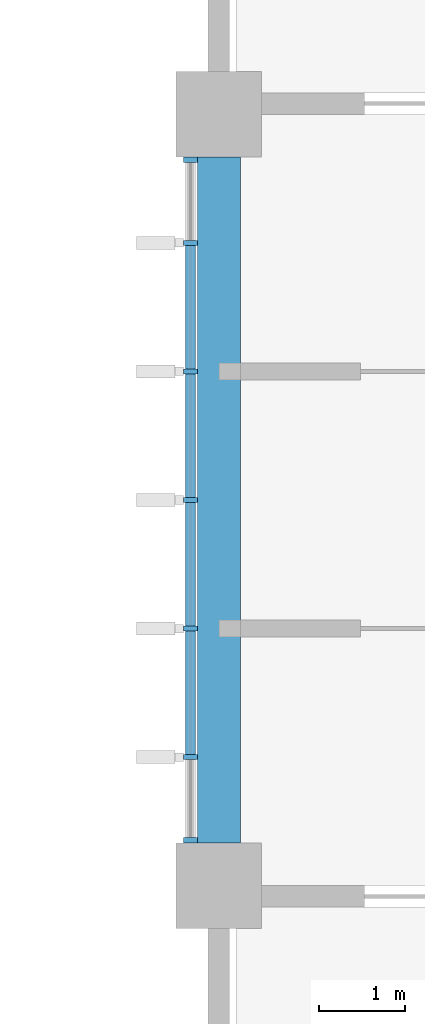
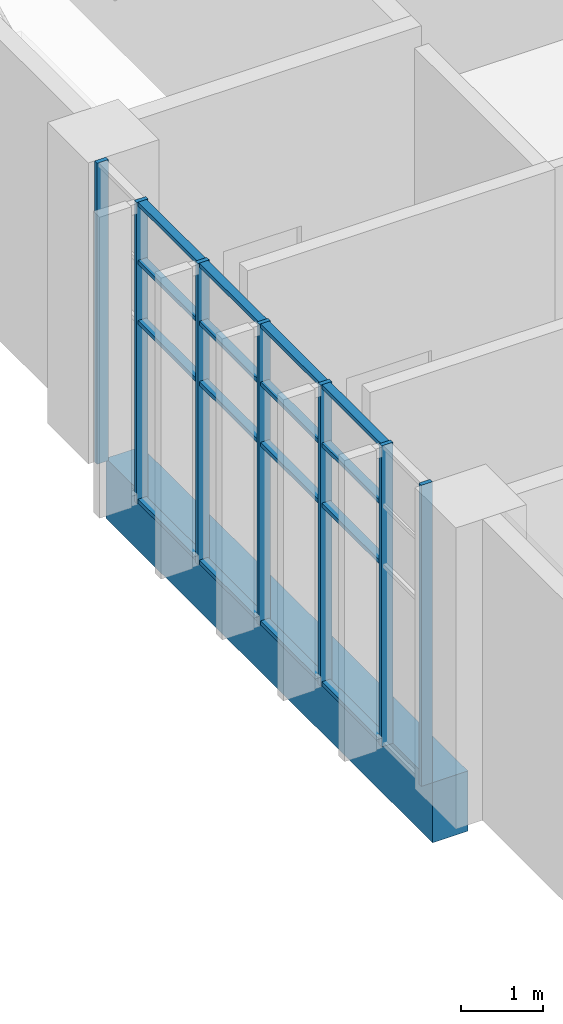
# One storey, part 6 of 88: 23 members, 1 beam, 1 element without a shape of its own.
"""IFC4 building model written with IfcOpenShell, lengths in metres."""

import ifcopenshell
import ifcopenshell.guid

model = None  # the IFC model being written
_history = None  # IfcOwnerHistory: only IFC2X3 demands one
_inside = {}  # id of a spatial element -> (the spatial element, [elements in it])
_under = {}  # id of a project, library or spatial element -> (it, [spatial elements below it])
_declared = {}  # id of a project -> (the project, [libraries it declares])
_typed = {}  # id of a type object -> (the type object, [elements of that type])
_made_of = {}  # id of a material, layer set ... -> (it, [elements and type objects made of it])


def new_model(schema):
    """Start an empty IFC model of exactly this schema.

    Asked for "IFC4X3", IfcOpenShell would pick the latest addendum, in which some entities
    have other attributes; the version numbers below select the first issue.
    IFC2X3 requires an IfcOwnerHistory on every rooted entity: one is made here for all.
    """
    global model, _history
    if schema == "IFC4X3":
        model = ifcopenshell.file(schema_version=(4, 3, 0, 0))
    else:
        model = ifcopenshell.file(schema=schema)
    _inside.clear()
    _under.clear()
    _declared.clear()
    _typed.clear()
    _made_of.clear()
    _history = None
    if model.schema == "IFC2X3":
        org = make("IfcOrganization", Name="unknown")
        user = make(
            "IfcPersonAndOrganization",
            ThePerson=make("IfcPerson", FamilyName="unknown"),
            TheOrganization=org,
        )
        app = make(
            "IfcApplication",
            ApplicationDeveloper=org,
            Version="unknown",
            ApplicationFullName="unknown",
            ApplicationIdentifier="unknown",
        )
        _history = make(
            "IfcOwnerHistory",
            OwningUser=user,
            OwningApplication=app,
            ChangeAction="ADDED",
            CreationDate=0,
        )
    return model


def make(cls, **values):
    """One entity of the class cls with the attributes given. An attribute that is None is left unset."""
    return model.create_entity(
        cls, **{name: value for name, value in values.items() if value is not None}
    )


def rooted(cls, **values):
    """An entity with a GlobalId (a new one), such as an element, a storey or a relation."""
    return make(cls, GlobalId=ifcopenshell.guid.new(), OwnerHistory=_history, **values)


def si_unit(unit_type, name, prefix=None):
    """IfcSIUnit, for example si_unit("LENGTHUNIT", "METRE", prefix="MILLI")."""
    return make("IfcSIUnit", UnitType=unit_type, Prefix=prefix, Name=name)


def assignment(units):
    """IfcUnitAssignment: the units of a project."""
    return None if units is None else make("IfcUnitAssignment", Units=units)


def point(xyz):
    """IfcCartesianPoint."""
    return None if xyz is None else make("IfcCartesianPoint", Coordinates=xyz)


def direction(xyz):
    """IfcDirection."""
    return None if xyz is None else make("IfcDirection", DirectionRatios=xyz)


def frame(location, z_axis=None, x_axis=None):
    """IfcAxis2Placement3D, a coordinate frame: its origin and axes. An axis left out is left unset."""
    return make(
        "IfcAxis2Placement3D",
        Location=point(location),
        Axis=direction(z_axis),
        RefDirection=direction(x_axis),
    )


def frame_2d(location, x_axis=None):
    """IfcAxis2Placement2D, a coordinate frame in the plane: its origin and x axis."""
    return make(
        "IfcAxis2Placement2D", Location=point(location), RefDirection=direction(x_axis)
    )


def origin():
    """The frame at (0, 0, 0) with its axes left unset."""
    return frame((0.0, 0.0, 0.0))


def origin_2d():
    """The frame at (0, 0) in the plane with its x axis left unset."""
    return frame_2d((0.0, 0.0))


def place(relative_to, where):
    """IfcLocalPlacement: puts the frame where relative to a parent placement (None: the world)."""
    return make(
        "IfcLocalPlacement", PlacementRelTo=relative_to, RelativePlacement=where
    )


def context(
    kind, dimensions, precision=None, world=None, true_north=None, identifier=None
):
    """IfcGeometricRepresentationContext, for example the 3D "Model" context."""
    return make(
        "IfcGeometricRepresentationContext",
        ContextIdentifier=identifier,
        ContextType=kind,
        CoordinateSpaceDimension=dimensions,
        Precision=precision,
        WorldCoordinateSystem=world,
        TrueNorth=true_north,
    )


def subcontext(parent, identifier, kind, view, scale=None):
    """IfcGeometricRepresentationSubContext, for example "Body" below "Model"."""
    return make(
        "IfcGeometricRepresentationSubContext",
        ContextIdentifier=identifier,
        ContextType=kind,
        ParentContext=parent,
        TargetScale=scale,
        TargetView=view,
    )


def project(units=None, contexts=None):
    """IfcProject with its units and contexts."""
    return rooted(
        "IfcProject",
        Name="project",
        RepresentationContexts=contexts,
        UnitsInContext=assignment(units),
    )


def spatial(cls, under=None, at=None, **own):
    """A site, building, storey or space (cls), placed at a placement, below another one or the project."""
    s = rooted(cls, ObjectPlacement=at, **own)
    if under is not None:
        _under.setdefault(under.id(), (under, []))[1].append(s)
    return s


def profile(cls, at=None, kind="AREA", **sizes):
    """A parametric profile (cls). Its sizes go by their IFC names, for example OverallWidth=200.0."""
    return make(cls, ProfileType=kind, Position=at, **sizes)


def rectangle(**sizes):
    """IfcRectangleProfileDef."""
    return profile("IfcRectangleProfileDef", **sizes)


def extrude(swept, where, along, depth):
    """IfcExtrudedAreaSolid: the profile swept, set in the frame where, extruded along a direction by depth."""
    return make(
        "IfcExtrudedAreaSolid",
        SweptArea=swept,
        Position=where,
        ExtrudedDirection=direction(along),
        Depth=depth,
    )


def shape(context_of_items, identifier, shape_type, items):
    """IfcShapeRepresentation: the items that make up one representation, for example the "Body"."""
    return make(
        "IfcShapeRepresentation",
        ContextOfItems=context_of_items,
        RepresentationIdentifier=identifier,
        RepresentationType=shape_type,
        Items=items,
    )


def material(Name=None, Category=None):
    """IfcMaterial."""
    return make("IfcMaterial", Name=Name, Category=Category)


def layer(
    of_material, thickness, ventilated=None, Name=None, Category=None, Priority=None
):
    """IfcMaterialLayer: one layer of a wall or slab, of a material (None: an air gap)."""
    return make(
        "IfcMaterialLayer",
        Material=of_material,
        LayerThickness=thickness,
        IsVentilated=ventilated,
        Name=Name,
        Category=Category,
        Priority=Priority,
    )


def layer_set(layers, Name=None):
    """IfcMaterialLayerSet."""
    return make("IfcMaterialLayerSet", MaterialLayers=layers, LayerSetName=Name)


def material_profile(
    of_material, cross_section, Name=None, Category=None, Priority=None
):
    """IfcMaterialProfile: a cross section and its material."""
    return make(
        "IfcMaterialProfile",
        Name=Name,
        Material=of_material,
        Profile=cross_section,
        Priority=Priority,
        Category=Category,
    )


def profile_set(profiles, Name=None, composite=None):
    """IfcMaterialProfileSet."""
    return make(
        "IfcMaterialProfileSet",
        Name=Name,
        MaterialProfiles=profiles,
        CompositeProfile=composite,
    )


def made_of(thing, what):
    """Note that an element or type object is made of a material, layer set ...; save() writes the relation."""
    if what is not None:
        _made_of.setdefault(what.id(), (what, []))[1].append(thing)
    return thing


def type_object(cls, material=None, **own):
    """A type object (cls), such as IfcWallType, which elements share."""
    return made_of(rooted(cls, **own), material)


def element(
    cls,
    number,
    at=None,
    inside=None,
    cuts=None,
    type_object=None,
    material=None,
    context=None,
    identifier="Body",
    shape_type=None,
    held_by="IfcProductDefinitionShape",
    body=None,
    shapes=None,
    **own,
):
    """One element of the class cls, such as IfcWall. Its Tag is "e" and its number.

    at: its placement. inside: the storey or other place that contains it. cuts: it is an
    opening in that element (IfcRelVoidsElement). A single representation is given by context,
    identifier, shape_type and body (its items); several are given by shapes. held_by: the class
    of the entity that holds the representations. save() writes the other relations.
    """
    e = rooted(cls, Tag="e%d" % number, ObjectPlacement=at, **own)
    if body is not None:
        shapes = [shape(context, identifier, shape_type, body)]
    if shapes is not None:
        e.Representation = make(held_by, Representations=shapes)
    if inside is not None:
        _inside.setdefault(inside.id(), (inside, []))[1].append(e)
    if cuts is not None:
        rooted(
            "IfcRelVoidsElement", RelatingBuildingElement=cuts, RelatedOpeningElement=e
        )
    if type_object is not None:
        _typed.setdefault(type_object.id(), (type_object, []))[1].append(e)
    return made_of(e, material)


def aggregate(whole, parts):
    """IfcRelAggregates: a whole, such as a stair, and the parts it consists of."""
    return rooted("IfcRelAggregates", RelatingObject=whole, RelatedObjects=parts)


def save(model, path):
    """Write the relations noted so far, then the file.

    IfcRelAggregates (storeys below a building ...), IfcRelContainedInSpatialStructure (elements
    in a storey), IfcRelDefinesByType, IfcRelAssociatesMaterial and IfcRelDeclares: one each for
    every whole, place, type object, material and project.
    """
    for whole, parts in _under.values():
        aggregate(whole, parts)
    for where, things in _inside.values():
        rooted(
            "IfcRelContainedInSpatialStructure",
            RelatedElements=things,
            RelatingStructure=where,
        )
    for kind, things in _typed.values():
        rooted("IfcRelDefinesByType", RelatedObjects=things, RelatingType=kind)
    for what, things in _made_of.values():
        rooted("IfcRelAssociatesMaterial", RelatedObjects=things, RelatingMaterial=what)
    for by, libraries in _declared.values():
        rooted("IfcRelDeclares", RelatingContext=by, RelatedDefinitions=libraries)
    model.write(path)


model = new_model("IFC4")

# Units and contexts
model_context = context("Model", 3, precision=1e-05, world=origin(), true_north=direction((0.0, 1.0)))
body_context = subcontext(model_context, "Body", "Model", "MODEL_VIEW")
ifc_project = project(units=[si_unit("LENGTHUNIT", "METRE"), si_unit("AREAUNIT", "SQUARE_METRE"), si_unit("VOLUMEUNIT", "CUBIC_METRE"), si_unit("PLANEANGLEUNIT", "RADIAN"), si_unit("MASSUNIT", "GRAM", prefix="KILO")], contexts=[model_context])

# Site, building, storey
site_placement = place(None, origin())
site = spatial("IfcSite", under=ifc_project, at=site_placement, CompositionType="ELEMENT")
building_placement = place(site_placement, origin())
building = spatial("IfcBuilding", under=site, at=building_placement, Name="Guidao Yard Department Store", CompositionType="ELEMENT")
storey_placement = place(building_placement, frame((0.0, 0.0, 6.0)))
storey = spatial("IfcBuildingStorey", under=building, at=storey_placement, Name="L01", CompositionType="ELEMENT", Elevation=6.0)

# Curtain wall, members
ifc_material_1 = material(Name="Aluminium and glass", Category="aluminium")
ifc_layer = layer(ifc_material_1, 0.159912109375)
ifc_layer_set = layer_set([ifc_layer], Name="Unitised curtain wall CW4 1500 module")
curtain_wall_type = type_object("IfcCurtainWallType", Name="Unitised curtain wall CW4 1500 module", PredefinedType="NOTDEFINED", material=ifc_layer_set)
curtain_wall_placement = place(storey_placement, origin())
curtain_wall = element("IfcCurtainWall", 1, at=curtain_wall_placement, inside=storey, type_object=curtain_wall_type, Name="Unitised curtain wall", PredefinedType="NOTDEFINED")
ifc_material_2 = material(Name="Aluminium 6063-T5", Category="aluminium")
ifc_material_profile_1 = material_profile(ifc_material_2, rectangle(XDim=0.06005859375, YDim=0.159912109375, at=origin_2d()), Name="Mullion M1 60 x 160 aluminium pressure plate")
ifc_profile_set_1 = profile_set([ifc_material_profile_1], Name="Aluminium 6063-T5")
member_type_1 = type_object("IfcMemberType", Name="Mullion M1 60 x 160 aluminium pressure plate", PredefinedType="MULLION", material=ifc_profile_set_1)
member_1_placement = place(storey_placement, frame((125.669921875, 9.530029296875, 0.0), z_axis=(0.0, 0.0, 1.0), x_axis=(0.0, 1.0, 0.0)))
member_1 = element("IfcMember", 2, at=member_1_placement, type_object=member_type_1, Name="CW-OW-L01-05 mullion 1", PredefinedType="MULLION", context=body_context, shape_type="SweptSolid", body=[
    extrude(rectangle(XDim=0.06005859375, YDim=0.159912109375, at=origin_2d()), origin(), (0.0, 0.0, 1.0), 4.5),
])
member_2_placement = place(storey_placement, frame((125.669921875, 10.5, 0.0), z_axis=(0.0, 0.0, 1.0), x_axis=(0.0, 1.0, 0.0)))
member_2 = element("IfcMember", 3, at=member_2_placement, type_object=member_type_1, Name="CW-OW-L01-05 mullion 2", PredefinedType="MULLION", context=body_context, shape_type="SweptSolid", body=[
    extrude(rectangle(XDim=0.06005859375, YDim=0.159912109375, at=origin_2d()), origin(), (0.0, 0.0, 1.0), 4.5),
])
member_3_placement = place(storey_placement, frame((125.669921875, 12.0, 0.0), z_axis=(0.0, 0.0, 1.0), x_axis=(0.0, 1.0, 0.0)))
member_3 = element("IfcMember", 4, at=member_3_placement, type_object=member_type_1, Name="CW-OW-L01-05 mullion 3", PredefinedType="MULLION", context=body_context, shape_type="SweptSolid", body=[
    extrude(rectangle(XDim=0.06005859375, YDim=0.159912109375, at=origin_2d()), origin(), (0.0, 0.0, 1.0), 4.5),
])
member_4_placement = place(storey_placement, frame((125.669921875, 13.5, 0.0), z_axis=(0.0, 0.0, 1.0), x_axis=(0.0, 1.0, 0.0)))
member_4 = element("IfcMember", 5, at=member_4_placement, type_object=member_type_1, Name="CW-OW-L01-05 mullion 4", PredefinedType="MULLION", context=body_context, shape_type="SweptSolid", body=[
    extrude(rectangle(XDim=0.06005859375, YDim=0.159912109375, at=origin_2d()), origin(), (0.0, 0.0, 1.0), 4.5),
])
member_5_placement = place(storey_placement, frame((125.669921875, 15.0, 0.0), z_axis=(0.0, 0.0, 1.0), x_axis=(0.0, 1.0, 0.0)))
member_5 = element("IfcMember", 6, at=member_5_placement, type_object=member_type_1, Name="CW-OW-L01-05 mullion 5", PredefinedType="MULLION", context=body_context, shape_type="SweptSolid", body=[
    extrude(rectangle(XDim=0.06005859375, YDim=0.159912109375, at=origin_2d()), origin(), (0.0, 0.0, 1.0), 4.5),
])
member_6_placement = place(storey_placement, frame((125.669921875, 16.5, 0.0), z_axis=(0.0, 0.0, 1.0), x_axis=(0.0, 1.0, 0.0)))
member_6 = element("IfcMember", 7, at=member_6_placement, type_object=member_type_1, Name="CW-OW-L01-05 mullion 6", PredefinedType="MULLION", context=body_context, shape_type="SweptSolid", body=[
    extrude(rectangle(XDim=0.06005859375, YDim=0.159912109375, at=origin_2d()), origin(), (0.0, 0.0, 1.0), 4.5),
])
member_7_placement = place(storey_placement, frame((125.669921875, 17.469970703125, 0.0), z_axis=(0.0, 0.0, 1.0), x_axis=(0.0, 1.0, 0.0)))
member_7 = element("IfcMember", 8, at=member_7_placement, type_object=member_type_1, Name="CW-OW-L01-05 mullion 7", PredefinedType="MULLION", context=body_context, shape_type="SweptSolid", body=[
    extrude(rectangle(XDim=0.06005859375, YDim=0.159912109375, at=origin_2d()), origin(), (0.0, 0.0, 1.0), 4.5),
])

# Beam
ifc_material_3 = material(Name="Concrete C40", Category="concrete")
ifc_material_profile_2 = material_profile(ifc_material_3, rectangle(XDim=0.5, YDim=0.89990234375, at=origin_2d()), Name="Spandrel beam 500 x 900 C40")
ifc_profile_set_2 = profile_set([ifc_material_profile_2], Name="Concrete C40")
beam_type = type_object("IfcBeamType", Name="Spandrel beam 500 x 900 C40", PredefinedType="SPANDREL", material=ifc_profile_set_2)
beam_placement = place(storey_placement, frame((126.0, 9.5, -0.449951171875), z_axis=(0.0, 1.0, 0.0), x_axis=(-1.0, 0.0, 0.0)))
element("IfcBeam", 9, at=beam_placement, inside=storey, type_object=beam_type, Name="Beam FB04", PredefinedType="SPANDREL", context=body_context, shape_type="SweptSolid", body=[
    extrude(rectangle(XDim=0.5, YDim=0.89990234375, at=origin_2d()), origin(), (0.0, 0.0, 1.0), 8.0),
])

# Member
ifc_material_4 = material(Name="Aluminium 6063-T5", Category="aluminium")
ifc_material_profile_3 = material_profile(ifc_material_4, rectangle(XDim=0.1201171875, YDim=0.06005859375, at=origin_2d()), Name="Transom T1 60 x 120 aluminium pressure plate")
ifc_profile_set_3 = profile_set([ifc_material_profile_3], Name="Aluminium 6063-T5")
member_type_2 = type_object("IfcMemberType", Name="Transom T1 60 x 120 aluminium pressure plate", PredefinedType="USERDEFINED", material=ifc_profile_set_3)
member_8_placement = place(storey_placement, frame((125.669921875, 10.530029296875, 0.030029296875), z_axis=(0.0, 1.0, 0.0), x_axis=(-1.0, 0.0, 0.0)))
member_8 = element("IfcMember", 10, at=member_8_placement, type_object=member_type_2, Name="CW-OW-L01-05 transom 2.1", ObjectType="TRANSOM", PredefinedType="USERDEFINED", context=body_context, shape_type="SweptSolid", body=[
    extrude(rectangle(XDim=0.1201171875, YDim=0.06005859375, at=origin_2d()), origin(), (0.0, 0.0, 1.0), 1.43994140625),
])

member_9_placement = place(storey_placement, frame((125.669921875, 10.530029296875, 2.699951171875), z_axis=(0.0, 1.0, 0.0), x_axis=(-1.0, 0.0, 0.0)))
member_9 = element("IfcMember", 11, at=member_9_placement, type_object=member_type_2, Name="CW-OW-L01-05 transom 2.2", ObjectType="TRANSOM", PredefinedType="USERDEFINED", context=body_context, shape_type="SweptSolid", body=[
    extrude(rectangle(XDim=0.1201171875, YDim=0.06005859375, at=origin_2d()), origin(), (0.0, 0.0, 1.0), 1.43994140625),
])

member_10_placement = place(storey_placement, frame((125.669921875, 10.530029296875, 3.60009765625), z_axis=(0.0, 1.0, 0.0), x_axis=(-1.0, 0.0, 0.0)))
member_10 = element("IfcMember", 12, at=member_10_placement, type_object=member_type_2, Name="CW-OW-L01-05 transom 2.3", ObjectType="TRANSOM", PredefinedType="USERDEFINED", context=body_context, shape_type="SweptSolid", body=[
    extrude(rectangle(XDim=0.1201171875, YDim=0.06005859375, at=origin_2d()), origin(), (0.0, 0.0, 1.0), 1.43994140625),
])

member_11_placement = place(storey_placement, frame((125.669921875, 10.530029296875, 4.469970703125), z_axis=(0.0, 1.0, 0.0), x_axis=(-1.0, 0.0, 0.0)))
member_11 = element("IfcMember", 13, at=member_11_placement, type_object=member_type_2, Name="CW-OW-L01-05 transom 2.4", ObjectType="TRANSOM", PredefinedType="USERDEFINED", context=body_context, shape_type="SweptSolid", body=[
    extrude(rectangle(XDim=0.1201171875, YDim=0.06005859375, at=origin_2d()), origin(), (0.0, 0.0, 1.0), 1.43994140625),
])

member_12_placement = place(storey_placement, frame((125.669921875, 12.030029296875, 0.030029296875), z_axis=(0.0, 1.0, 0.0), x_axis=(-1.0, 0.0, 0.0)))
member_12 = element("IfcMember", 14, at=member_12_placement, type_object=member_type_2, Name="CW-OW-L01-05 transom 3.1", ObjectType="TRANSOM", PredefinedType="USERDEFINED", context=body_context, shape_type="SweptSolid", body=[
    extrude(rectangle(XDim=0.1201171875, YDim=0.06005859375, at=origin_2d()), origin(), (0.0, 0.0, 1.0), 1.43994140625),
])

member_13_placement = place(storey_placement, frame((125.669921875, 12.030029296875, 2.699951171875), z_axis=(0.0, 1.0, 0.0), x_axis=(-1.0, 0.0, 0.0)))
member_13 = element("IfcMember", 15, at=member_13_placement, type_object=member_type_2, Name="CW-OW-L01-05 transom 3.2", ObjectType="TRANSOM", PredefinedType="USERDEFINED", context=body_context, shape_type="SweptSolid", body=[
    extrude(rectangle(XDim=0.1201171875, YDim=0.06005859375, at=origin_2d()), origin(), (0.0, 0.0, 1.0), 1.43994140625),
])

member_14_placement = place(storey_placement, frame((125.669921875, 12.030029296875, 3.60009765625), z_axis=(0.0, 1.0, 0.0), x_axis=(-1.0, 0.0, 0.0)))
member_14 = element("IfcMember", 16, at=member_14_placement, type_object=member_type_2, Name="CW-OW-L01-05 transom 3.3", ObjectType="TRANSOM", PredefinedType="USERDEFINED", context=body_context, shape_type="SweptSolid", body=[
    extrude(rectangle(XDim=0.1201171875, YDim=0.06005859375, at=origin_2d()), origin(), (0.0, 0.0, 1.0), 1.43994140625),
])

member_15_placement = place(storey_placement, frame((125.669921875, 12.030029296875, 4.469970703125), z_axis=(0.0, 1.0, 0.0), x_axis=(-1.0, 0.0, 0.0)))
member_15 = element("IfcMember", 17, at=member_15_placement, type_object=member_type_2, Name="CW-OW-L01-05 transom 3.4", ObjectType="TRANSOM", PredefinedType="USERDEFINED", context=body_context, shape_type="SweptSolid", body=[
    extrude(rectangle(XDim=0.1201171875, YDim=0.06005859375, at=origin_2d()), origin(), (0.0, 0.0, 1.0), 1.43994140625),
])

member_16_placement = place(storey_placement, frame((125.669921875, 13.530029296875, 0.030029296875), z_axis=(0.0, 1.0, 0.0), x_axis=(-1.0, 0.0, 0.0)))
member_16 = element("IfcMember", 18, at=member_16_placement, type_object=member_type_2, Name="CW-OW-L01-05 transom 4.1", ObjectType="TRANSOM", PredefinedType="USERDEFINED", context=body_context, shape_type="SweptSolid", body=[
    extrude(rectangle(XDim=0.1201171875, YDim=0.06005859375, at=origin_2d()), origin(), (0.0, 0.0, 1.0), 1.43994140625),
])

member_17_placement = place(storey_placement, frame((125.669921875, 13.530029296875, 2.699951171875), z_axis=(0.0, 1.0, 0.0), x_axis=(-1.0, 0.0, 0.0)))
member_17 = element("IfcMember", 19, at=member_17_placement, type_object=member_type_2, Name="CW-OW-L01-05 transom 4.2", ObjectType="TRANSOM", PredefinedType="USERDEFINED", context=body_context, shape_type="SweptSolid", body=[
    extrude(rectangle(XDim=0.1201171875, YDim=0.06005859375, at=origin_2d()), origin(), (0.0, 0.0, 1.0), 1.43994140625),
])

member_18_placement = place(storey_placement, frame((125.669921875, 13.530029296875, 3.60009765625), z_axis=(0.0, 1.0, 0.0), x_axis=(-1.0, 0.0, 0.0)))
member_18 = element("IfcMember", 20, at=member_18_placement, type_object=member_type_2, Name="CW-OW-L01-05 transom 4.3", ObjectType="TRANSOM", PredefinedType="USERDEFINED", context=body_context, shape_type="SweptSolid", body=[
    extrude(rectangle(XDim=0.1201171875, YDim=0.06005859375, at=origin_2d()), origin(), (0.0, 0.0, 1.0), 1.43994140625),
])

member_19_placement = place(storey_placement, frame((125.669921875, 13.530029296875, 4.469970703125), z_axis=(0.0, 1.0, 0.0), x_axis=(-1.0, 0.0, 0.0)))
member_19 = element("IfcMember", 21, at=member_19_placement, type_object=member_type_2, Name="CW-OW-L01-05 transom 4.4", ObjectType="TRANSOM", PredefinedType="USERDEFINED", context=body_context, shape_type="SweptSolid", body=[
    extrude(rectangle(XDim=0.1201171875, YDim=0.06005859375, at=origin_2d()), origin(), (0.0, 0.0, 1.0), 1.43994140625),
])

member_20_placement = place(storey_placement, frame((125.669921875, 15.030029296875, 0.030029296875), z_axis=(0.0, 1.0, 0.0), x_axis=(-1.0, 0.0, 0.0)))
member_20 = element("IfcMember", 22, at=member_20_placement, type_object=member_type_2, Name="CW-OW-L01-05 transom 5.1", ObjectType="TRANSOM", PredefinedType="USERDEFINED", context=body_context, shape_type="SweptSolid", body=[
    extrude(rectangle(XDim=0.1201171875, YDim=0.06005859375, at=origin_2d()), origin(), (0.0, 0.0, 1.0), 1.43994140625),
])

member_21_placement = place(storey_placement, frame((125.669921875, 15.030029296875, 2.699951171875), z_axis=(0.0, 1.0, 0.0), x_axis=(-1.0, 0.0, 0.0)))
member_21 = element("IfcMember", 23, at=member_21_placement, type_object=member_type_2, Name="CW-OW-L01-05 transom 5.2", ObjectType="TRANSOM", PredefinedType="USERDEFINED", context=body_context, shape_type="SweptSolid", body=[
    extrude(rectangle(XDim=0.1201171875, YDim=0.06005859375, at=origin_2d()), origin(), (0.0, 0.0, 1.0), 1.43994140625),
])

member_22_placement = place(storey_placement, frame((125.669921875, 15.030029296875, 3.60009765625), z_axis=(0.0, 1.0, 0.0), x_axis=(-1.0, 0.0, 0.0)))
member_22 = element("IfcMember", 24, at=member_22_placement, type_object=member_type_2, Name="CW-OW-L01-05 transom 5.3", ObjectType="TRANSOM", PredefinedType="USERDEFINED", context=body_context, shape_type="SweptSolid", body=[
    extrude(rectangle(XDim=0.1201171875, YDim=0.06005859375, at=origin_2d()), origin(), (0.0, 0.0, 1.0), 1.43994140625),
])

member_23_placement = place(storey_placement, frame((125.669921875, 15.030029296875, 4.469970703125), z_axis=(0.0, 1.0, 0.0), x_axis=(-1.0, 0.0, 0.0)))
member_23 = element("IfcMember", 25, at=member_23_placement, type_object=member_type_2, Name="CW-OW-L01-05 transom 5.4", ObjectType="TRANSOM", PredefinedType="USERDEFINED", context=body_context, shape_type="SweptSolid", body=[
    extrude(rectangle(XDim=0.1201171875, YDim=0.06005859375, at=origin_2d()), origin(), (0.0, 0.0, 1.0), 1.43994140625),
])

aggregate(curtain_wall, [member_1, member_2, member_3, member_4, member_5, member_6, member_7, member_8, member_9, member_10, member_11, member_12, member_13, member_14, member_15, member_16, member_17, member_18, member_19, member_20, member_21, member_22, member_23])

save(model, "model.ifc")
